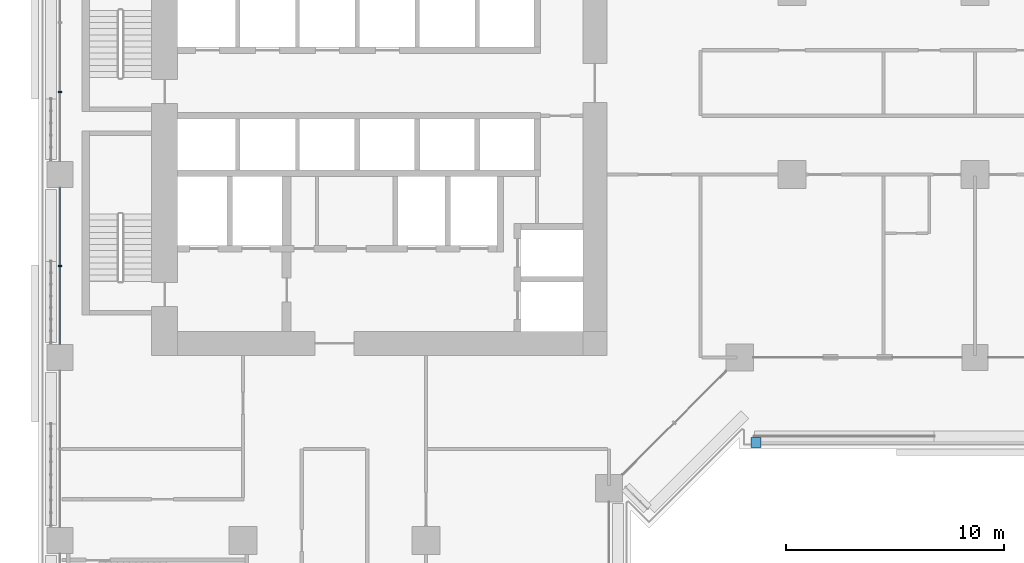
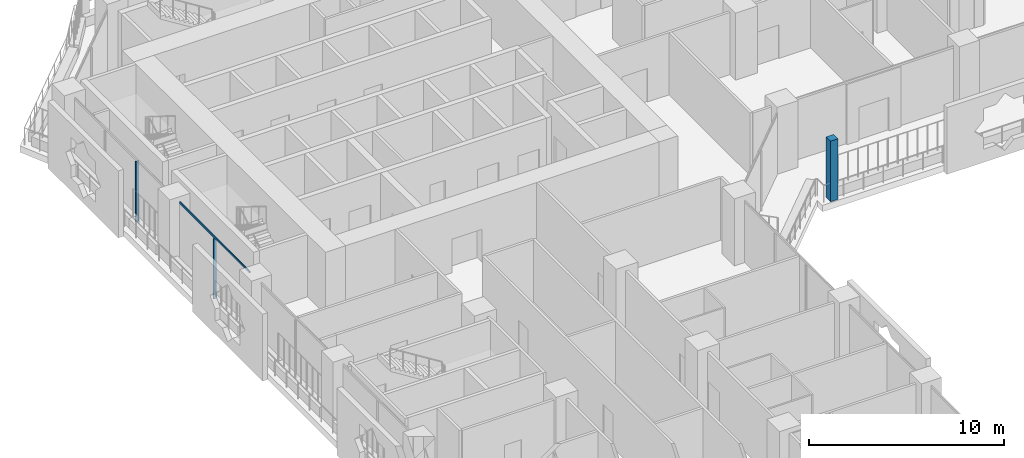
# One storey, part 5 of 27: 4 members, 2 elements without a shape of their own.
"""IFC4 building model written with IfcOpenShell, lengths in metres."""

from ifc_helpers import new_model, si_unit, direction, frame, origin, origin_2d, place, context, subcontext, project, spatial, rectangle, extrude, material, layer, layer_set, material_profile, profile_set, type_object, element, aggregate, save


model = new_model("IFC4")

# Units and contexts
model_context = context("Model", 3, precision=1e-05, world=origin(), true_north=direction((0.0, 1.0)))
body_context = subcontext(model_context, "Body", "Model", "MODEL_VIEW")
ifc_project = project(units=[si_unit("LENGTHUNIT", "METRE"), si_unit("AREAUNIT", "SQUARE_METRE"), si_unit("VOLUMEUNIT", "CUBIC_METRE"), si_unit("PLANEANGLEUNIT", "RADIAN"), si_unit("MASSUNIT", "GRAM", prefix="KILO")], contexts=[model_context])

# Site, building, storey
site_placement = place(None, origin())
site = spatial("IfcSite", under=ifc_project, at=site_placement, CompositionType="ELEMENT")
building_placement = place(site_placement, origin())
building = spatial("IfcBuilding", under=site, at=building_placement, Name="Kawkab Arch Medical Tower", CompositionType="ELEMENT")
storey_placement = place(building_placement, frame((0.0, 0.0, 85.39990234375)))
storey = spatial("IfcBuildingStorey", under=building, at=storey_placement, Name="L19", CompositionType="ELEMENT", Elevation=85.39990234375)

# Curtain wall, members
ifc_material_1 = material(Name="Bronze anodised aluminium curtain wall frame", Category="aluminium")
ifc_layer_1 = layer(ifc_material_1, 0.159912109375)
ifc_layer_set_1 = layer_set([ifc_layer_1], Name="Bronze anodised aluminium curtain wall frame")
curtain_wall_type_1 = type_object("IfcCurtainWallType", Name="CW1 ward curtain wall", PredefinedType="NOTDEFINED", material=ifc_layer_set_1)
placement = place(storey_placement, origin())
curtain_wall_1 = element("IfcCurtainWall", 1, at=placement, inside=storey, type_object=curtain_wall_type_1, Name="CW1 Ward curtain wall R01", PredefinedType="NOTDEFINED")
ifc_material_2 = material(Name="Bronze anodised aluminium curtain wall frame", Category="aluminium")
ifc_material_profile_1 = material_profile(ifc_material_2, rectangle(XDim=0.179931640625, YDim=0.06005859375, at=origin_2d()), Name="AL 60x180")
ifc_profile_set_1 = profile_set([ifc_material_profile_1], Name="Bronze anodised aluminium curtain wall frame")
member_type_1 = type_object("IfcMemberType", Name="CW1 mullion 60 x 180", PredefinedType="MULLION", material=ifc_profile_set_1)
member_1_placement = place(storey_placement, frame((0.0, -13.00830078125, 0.0), z_axis=(0.0, 0.0, 1.0), x_axis=(1.0, 0.0, 0.0)))
member_1 = element("IfcMember", 2, at=member_1_placement, type_object=member_type_1, Name="CW1 mullion 1.2", PredefinedType="MULLION", context=body_context, shape_type="SweptSolid", body=[
    extrude(rectangle(XDim=0.179931640625, YDim=0.06005859375, at=origin_2d()), origin(), (0.0, 0.0, 1.0), 3.780029296875),
])
member_2_placement = place(storey_placement, frame((0.0, -21.0, 0.0), z_axis=(0.0, 0.0, 1.0), x_axis=(1.0, 0.0, 0.0)))
member_2 = element("IfcMember", 3, at=member_2_placement, type_object=member_type_1, Name="CW1 mullion 2.1", PredefinedType="MULLION", context=body_context, shape_type="SweptSolid", body=[
    extrude(rectangle(XDim=0.179931640625, YDim=0.06005859375, at=origin_2d()), origin(), (0.0, 0.0, 1.0), 3.780029296875),
])
ifc_material_3 = material(Name="Bronze anodised aluminium curtain wall frame", Category="aluminium")
ifc_material_profile_2 = material_profile(ifc_material_3, rectangle(XDim=0.06005859375, YDim=0.1201171875, at=origin_2d()), Name="AL 60x120")
ifc_profile_set_2 = profile_set([ifc_material_profile_2], Name="Bronze anodised aluminium curtain wall frame")
member_type_2 = type_object("IfcMemberType", Name="CW1 transom 120 x 60", PredefinedType="USERDEFINED", material=ifc_profile_set_2)
member_3_placement = place(storey_placement, frame((0.0, -17.39990234375, 3.840087890625), z_axis=(0.0, -1.0, 0.0), x_axis=(1.0, 0.0, 0.0)))
member_3 = element("IfcMember", 4, at=member_3_placement, type_object=member_type_2, Name="CW1 transom 2", ObjectType="TRANSOM", PredefinedType="USERDEFINED", context=body_context, shape_type="SweptSolid", body=[
    extrude(rectangle(XDim=0.06005859375, YDim=0.1201171875, at=origin_2d()), origin(), (0.0, 0.0, 1.0), 7.2001953125),
])
aggregate(curtain_wall_1, [member_1, member_3, member_2])

# Curtain wall, member
ifc_material_4 = material(Name="Bronze anodised aluminium climber frame, planted", Category="aluminium")
ifc_layer_2 = layer(ifc_material_4, 0.449951171875)
ifc_layer_set_2 = layer_set([ifc_layer_2], Name="Bronze anodised aluminium climber frame, planted")
curtain_wall_type_2 = type_object("IfcCurtainWallType", Name="Planted climber frame", PredefinedType="NOTDEFINED", material=ifc_layer_set_2)
curtain_wall_2 = element("IfcCurtainWall", 5, at=placement, inside=storey, type_object=curtain_wall_type_2, Name="Planted climber frame L19", PredefinedType="NOTDEFINED")
ifc_material_5 = material(Name="Bronze anodised aluminium climber frame, planted", Category="aluminium")
ifc_material_profile_3 = material_profile(ifc_material_5, rectangle(XDim=0.449951171875, YDim=0.449951171875, at=origin_2d()), Name="Post 450x450")
ifc_profile_set_3 = profile_set([ifc_material_profile_3], Name="Bronze anodised aluminium climber frame, planted")
member_type_3 = type_object("IfcMemberType", Name="Planted climber post 450 x 450", PredefinedType="MULLION", material=ifc_profile_set_3)
member_4_placement = place(storey_placement, frame((31.949951171875, -29.10009765625, 0.0), z_axis=(0.0, 0.0, 1.0), x_axis=(1.0, 0.0, 0.0)))
member_4 = element("IfcMember", 6, at=member_4_placement, type_object=member_type_3, Name="Planted climber post L19.LOG-01-01.6", PredefinedType="MULLION", context=body_context, shape_type="SweptSolid", body=[
    extrude(rectangle(XDim=0.449951171875, YDim=0.449951171875, at=origin_2d()), origin(), (0.0, 0.0, 1.0), 3.800048828125),
])
aggregate(curtain_wall_2, [member_4])

save(model, "model.ifc")
